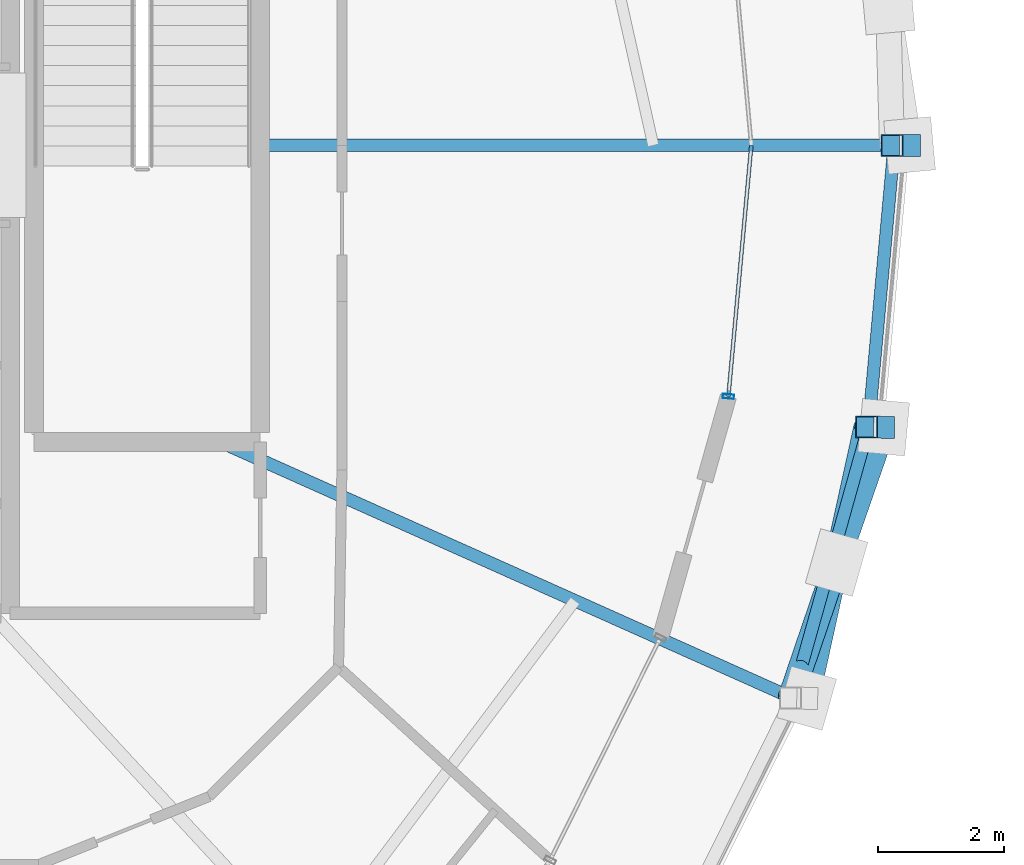
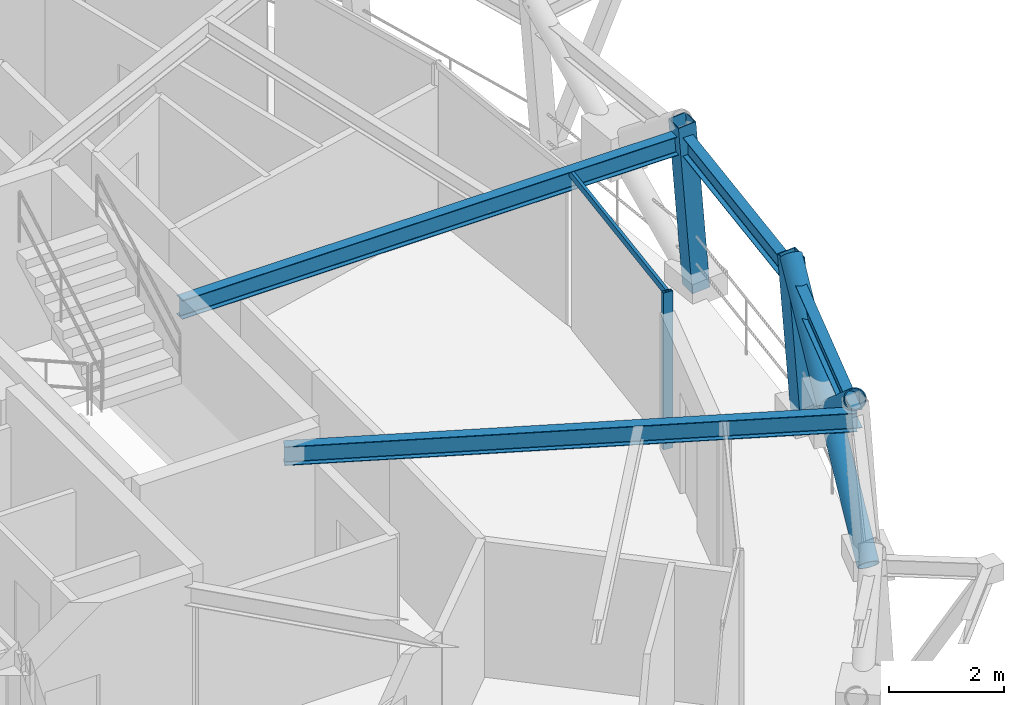
# One storey, part 5 of 15: 7 members, 4 beams, 1 element without a shape of its own.
"""IFC4 building model written with IfcOpenShell, lengths in metres."""

from ifc_helpers import new_model, si_unit, direction, frame, origin, origin_2d, place, context, subcontext, project, spatial, hollow_rectangle, hollow_circle, i_section, extrude, material, layer, layer_set, material_profile, profile_set, type_object, element, aggregate, save


model = new_model("IFC4")

# Units and contexts
model_context = context("Model", 3, precision=1e-05, world=origin(), true_north=direction((0.0, 1.0)))
body_context = subcontext(model_context, "Body", "Model", "MODEL_VIEW")
ifc_project = project(units=[si_unit("LENGTHUNIT", "METRE"), si_unit("AREAUNIT", "SQUARE_METRE"), si_unit("VOLUMEUNIT", "CUBIC_METRE"), si_unit("PLANEANGLEUNIT", "RADIAN"), si_unit("MASSUNIT", "GRAM", prefix="KILO")], contexts=[model_context])

# Site, building, storey
site_placement = place(None, origin())
site = spatial("IfcSite", under=ifc_project, at=site_placement, CompositionType="ELEMENT")
building_placement = place(site_placement, origin())
building = spatial("IfcBuilding", under=site, at=building_placement, Name="Veldorina Hangang Commons", CompositionType="ELEMENT")
storey_placement = place(building_placement, frame((0.0, 0.0, 268.800048828125)))
storey = spatial("IfcBuildingStorey", under=building, at=storey_placement, Name="L70", CompositionType="ELEMENT", Elevation=268.800048828125)

# Beams
ifc_material_1 = material(Name="Steel SM355-TMC", Category="steel")
ifc_material_profile_1 = material_profile(ifc_material_1, i_section(OverallWidth=0.199951171875, OverallDepth=0.39990234375, WebThickness=0.008056640625, FlangeThickness=0.012939453125, FilletRadius=0.012939453125, at=origin_2d()), Name="H-400x200x8x13")
ifc_profile_set_1 = profile_set([ifc_material_profile_1], Name="Steel SM355-TMC")
beam_type_1 = type_object("IfcBeamType", Name="BM-FG400", PredefinedType="BEAM", material=ifc_profile_set_1)
beam_1_placement = place(storey_placement, frame((43.179931640625, 24.0, 3.159912109375), z_axis=(1.0, 0.0, 0.0), x_axis=(0.0, 1.0, 0.0)))
element("IfcBeam", 1, at=beam_1_placement, inside=storey, type_object=beam_type_1, Name="L70 radial floor girder 01", PredefinedType="BEAM", context=body_context, shape_type="SweptSolid", body=[
    extrude(i_section(OverallWidth=0.199951171875, OverallDepth=0.39990234375, WebThickness=0.008056640625, FlangeThickness=0.012939453125, FilletRadius=0.012939453125, at=origin_2d()), origin(), (0.0, 0.0, 1.0), 10.090576171875),
])
beam_2_placement = place(storey_placement, frame((42.54443359375, 19.280029296875, 3.159912109375), z_axis=(0.912737826534, -0.408545786924, 0.0), x_axis=(0.408545786924, 0.912737826534, 0.0)))
element("IfcBeam", 2, at=beam_2_placement, inside=storey, type_object=beam_type_1, Name="L70 radial floor girder 16", PredefinedType="BEAM", context=body_context, shape_type="SweptSolid", body=[
    extrude(i_section(OverallWidth=0.199951171875, OverallDepth=0.39990234375, WebThickness=0.008056640625, FlangeThickness=0.012939453125, FilletRadius=0.012939453125, at=origin_2d()), origin(), (0.0, 0.0, 1.0), 9.977783203125),
])
ifc_material_profile_2 = material_profile(ifc_material_1, i_section(OverallWidth=0.199951171875, OverallDepth=0.39990234375, WebThickness=0.008056640625, FlangeThickness=0.012939453125, FilletRadius=0.012939453125, at=origin_2d()), Name="H-400x200x8x13")
ifc_profile_set_2 = profile_set([ifc_material_profile_2], Name="Steel SM355-TMC")
beam_type_2 = type_object("IfcBeamType", Name="BM-RB400", PredefinedType="BEAM", material=ifc_profile_set_2)
beam_3_placement = place(storey_placement, frame((51.651611328125, 15.20361328125, 3.159912109375), z_axis=(0.270218270075, 0.962799089383, 0.0), x_axis=(-0.962799089383, 0.270218270075, 0.0)))
element("IfcBeam", 3, at=beam_3_placement, inside=storey, type_object=beam_type_2, Name="L70 perimeter hoop ring beam 30", PredefinedType="BEAM", context=body_context, shape_type="SweptSolid", body=[
    extrude(i_section(OverallWidth=0.199951171875, OverallDepth=0.39990234375, WebThickness=0.008056640625, FlangeThickness=0.012939453125, FilletRadius=0.012939453125, at=origin_2d()), origin(), (0.0, 0.0, 1.0), 4.478515625),
])
beam_4_placement = place(storey_placement, frame((52.86181640625, 19.515625, 3.159912109375), z_axis=(0.090760614325, 0.995872738299, 0.0), x_axis=(-0.995872738299, 0.090760614325, 0.0)))
element("IfcBeam", 4, at=beam_4_placement, inside=storey, type_object=beam_type_2, Name="L70 perimeter hoop ring beam 31", PredefinedType="BEAM", context=body_context, shape_type="SweptSolid", body=[
    extrude(i_section(OverallWidth=0.199951171875, OverallDepth=0.39990234375, WebThickness=0.008056640625, FlangeThickness=0.012939453125, FilletRadius=0.012939453125, at=origin_2d()), origin(), (0.0, 0.0, 1.0), 4.5029296875),
])

# Curtain wall, members
ifc_material_2 = material(Name="Glass Low-E Selective", Category="glass")
ifc_layer = layer(ifc_material_2, 0.179931640625)
ifc_layer_set = layer_set([ifc_layer], Name="Glass Low-E Selective")
curtain_wall_type = type_object("IfcCurtainWallType", Name="CW-SYS-Z3", PredefinedType="NOTDEFINED", material=ifc_layer_set)
curtain_wall_placement = place(storey_placement, origin())
curtain_wall = element("IfcCurtainWall", 5, at=curtain_wall_placement, inside=storey, type_object=curtain_wall_type, Name="L70 unitised curtain wall CW-L70-R2", PredefinedType="NOTDEFINED")
ifc_material_3 = material(Name="Aluminium Anodized AA6063-T6", Category="aluminium")
ifc_material_profile_3 = material_profile(ifc_material_3, hollow_rectangle(XDim=0.070068359375, YDim=0.179931640625, WallThickness=0.00390625, at=origin_2d()), Name="ALU-RHS-180x70x4")
ifc_profile_set_3 = profile_set([ifc_material_profile_3], Name="Aluminium Anodized AA6063-T6")
member_type_1 = type_object("IfcMemberType", Name="CW-MUL-180", PredefinedType="MULLION", material=ifc_profile_set_3)
member_1_placement = place(storey_placement, frame((50.6318359375, 20.005126953125, 0.0), z_axis=(0.0, 0.0, 1.0), x_axis=(0.090980203904, 0.995852701205, 0.0)))
member_1 = element("IfcMember", 6, at=member_1_placement, type_object=member_type_1, Name="CW-L70-R2 vertical mullion 1", PredefinedType="MULLION", context=body_context, shape_type="SweptSolid", body=[
    extrude(hollow_rectangle(XDim=0.070068359375, YDim=0.179931640625, WallThickness=0.00390625, at=origin_2d()), origin(), (0.0, 0.0, 1.0), 3.320068359375),
])
ifc_material_profile_4 = material_profile(ifc_material_3, hollow_rectangle(XDim=0.06005859375, YDim=0.139892578125, WallThickness=0.00341796875, at=origin_2d()), Name="ALU-RHS-140x60x3.5")
ifc_profile_set_4 = profile_set([ifc_material_profile_4], Name="Aluminium Anodized AA6063-T6")
member_type_2 = type_object("IfcMemberType", Name="CW-TRN-140", PredefinedType="USERDEFINED", material=ifc_profile_set_4)
member_2_placement = place(storey_placement, frame((50.6318359375, 20.005126953125, 3.280029296875), z_axis=(0.090985701728, 0.995852198914, 0.0), x_axis=(-0.995852198914, 0.090985701728, 0.0)))
member_2 = element("IfcMember", 7, at=member_2_placement, type_object=member_type_2, Name="CW-L70-R2 facet 1 transom 1", ObjectType="TRANSOM", PredefinedType="USERDEFINED", context=body_context, shape_type="SweptSolid", body=[
    extrude(hollow_rectangle(XDim=0.06005859375, YDim=0.139892578125, WallThickness=0.00341796875, at=origin_2d()), origin(), (0.0, 0.0, 1.0), 4.011474609375),
])
aggregate(curtain_wall, [member_1, member_2])

# Members
ifc_material_profile_5 = material_profile(ifc_material_1, hollow_circle(Radius=0.199951171875, WallThickness=0.02001953125, at=origin_2d()), Name="CHS-400x20")
ifc_profile_set_5 = profile_set([ifc_material_profile_5], Name="Steel SM355-TMC")
member_type_3 = type_object("IfcMemberType", Name="DG-CHS400", PredefinedType="BRACE", material=ifc_profile_set_5)
member_3_placement = place(storey_placement, frame((51.87890625, 15.199462890625, 0.0), z_axis=(0.166567853631, 0.757243417897, 0.631535870865), x_axis=(-0.976651421307, 0.214830168409, 0.0)))
element("IfcMember", 8, at=member_3_placement, inside=storey, type_object=member_type_3, Name="L70 continuous perimeter diagrid brace 30", PredefinedType="BRACE", context=body_context, shape_type="SweptSolid", body=[
    extrude(hollow_circle(Radius=0.199951171875, WallThickness=0.02001953125, at=origin_2d()), origin(), (0.0, 0.0, 1.0), 5.7001953125),
])
member_4_placement = place(storey_placement, frame((53.103515625, 19.513427734375, 0.0), z_axis=(-0.257880542251, -0.741217558575, 0.619753303169), x_axis=(0.944470802281, -0.328595349388, 0.0)))
element("IfcMember", 9, at=member_4_placement, inside=storey, type_object=member_type_3, Name="L70 split perimeter diagrid lower brace 31", PredefinedType="BRACE", context=body_context, shape_type="SweptSolid", body=[
    extrude(hollow_circle(Radius=0.199951171875, WallThickness=0.02001953125, at=origin_2d()), origin(), (0.0, 0.0, 1.0), 2.906494140625),
])
member_5_placement = place(storey_placement, frame((52.35400390625, 17.359130859375, 1.80126953125), z_axis=(-0.253028198252, -0.742760194868, 0.619906463758), x_axis=(0.946582367195, -0.322462125088, 0.0)))
element("IfcMember", 10, at=member_5_placement, inside=storey, type_object=member_type_3, Name="L70 split perimeter diagrid upper brace 31", PredefinedType="BRACE", context=body_context, shape_type="SweptSolid", body=[
    extrude(hollow_circle(Radius=0.199951171875, WallThickness=0.02001953125, at=origin_2d()), origin(), (0.0, 0.0, 1.0), 2.9013671875),
])
ifc_material_profile_6 = material_profile(ifc_material_1, hollow_rectangle(XDim=0.35009765625, YDim=0.35009765625, WallThickness=0.01611328125, at=origin_2d()), Name="SHS-350x350x16")
ifc_profile_set_6 = profile_set([ifc_material_profile_6], Name="Steel SM355-TMC")
member_type_4 = type_object("IfcMemberType", Name="STR-SHS350", PredefinedType="STRUT", material=ifc_profile_set_6)
member_6_placement = place(storey_placement, frame((53.516845703125, 24.0, 0.0), z_axis=(-0.077689202637, 0.0, 0.996977626526), x_axis=(0.0, -1.0, 0.0)))
element("IfcMember", 11, at=member_6_placement, inside=storey, type_object=member_type_4, Name="L70 perimeter ring node post 00", PredefinedType="STRUT", context=body_context, shape_type="SweptSolid", body=[
    extrude(hollow_rectangle(XDim=0.35009765625, YDim=0.35009765625, WallThickness=0.01611328125, at=origin_2d()), origin(), (0.0, 0.0, 1.0), 3.61083984375),
])
member_7_placement = place(storey_placement, frame((53.103515625, 19.513427734375, 0.0), z_axis=(-0.076210386881, 0.000676223486, 0.997091530228), x_axis=(-0.008872765184, -0.999960636244, 0.0)))
element("IfcMember", 12, at=member_7_placement, inside=storey, type_object=member_type_4, Name="L70 perimeter ring node post 31", PredefinedType="STRUT", context=body_context, shape_type="SweptSolid", body=[
    extrude(hollow_rectangle(XDim=0.35009765625, YDim=0.35009765625, WallThickness=0.01611328125, at=origin_2d()), origin(), (0.0, 0.0, 1.0), 3.6103515625),
])

save(model, "model.ifc")
